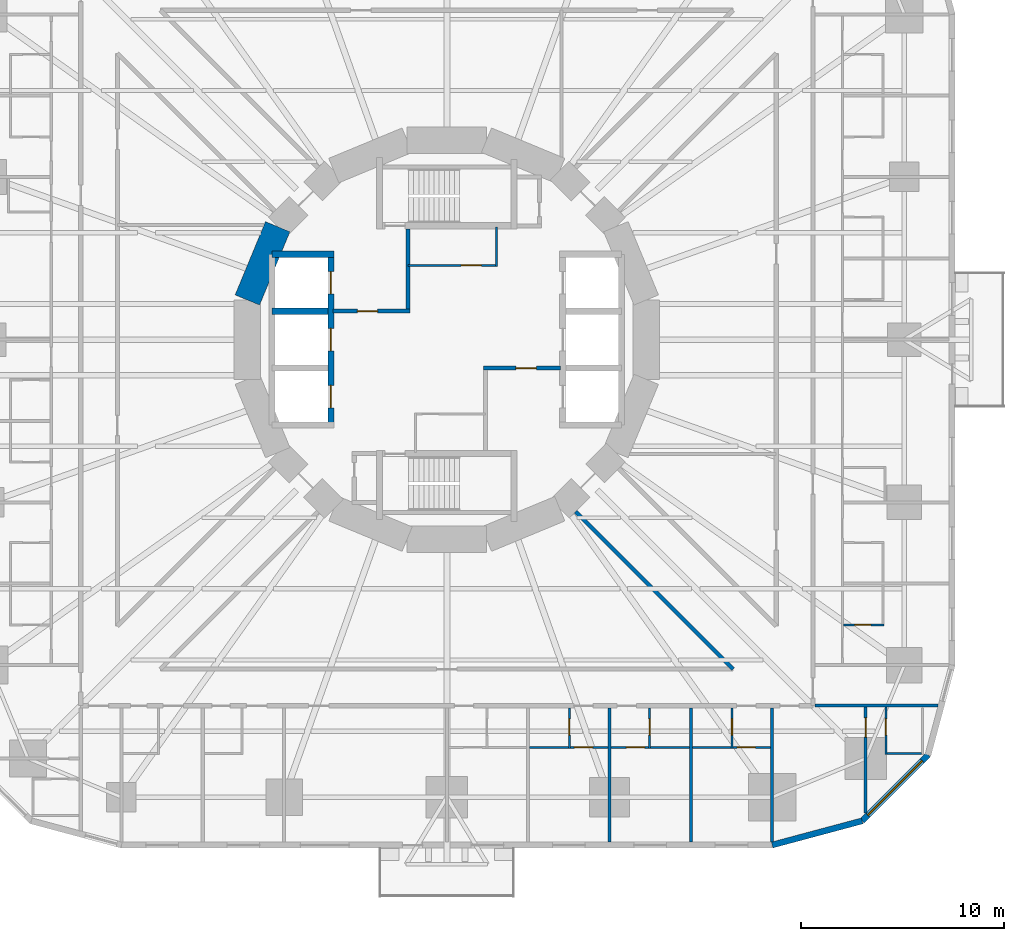
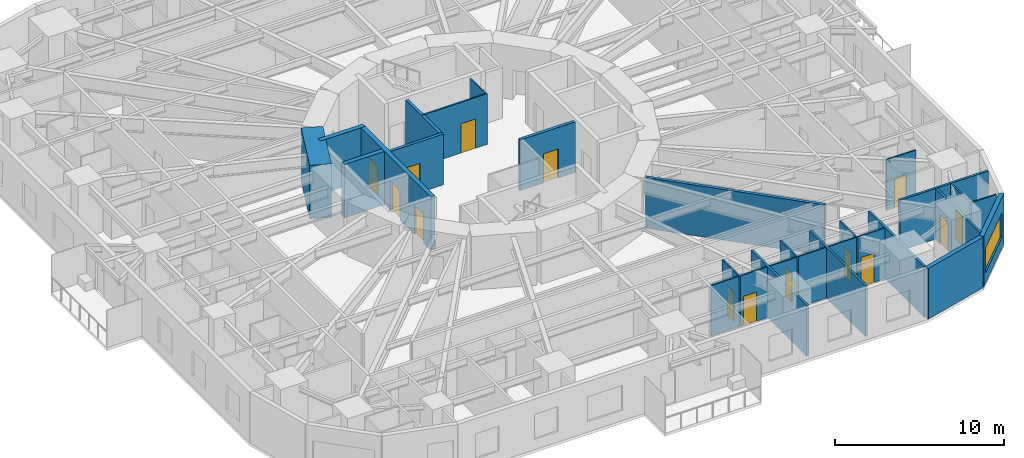
# One storey, part 7 of 14: 29 walls, 15 doors, 1 window, 16 openings.
"""IFC4 building model written with IfcOpenShell, lengths in metres."""

from ifc_helpers import new_model, si_unit, direction, frame, frame_2d, origin, place, context, subcontext, project, spatial, rectangle, extrude, material, layer, layer_set, type_object, element, fill, save


model = new_model("IFC4")

# Units and contexts
model_context = context("Model", 3, precision=1e-05, world=origin(), true_north=direction((0.0, 1.0)))
body_context = subcontext(model_context, "Body", "Model", "MODEL_VIEW")
ifc_project = project(units=[si_unit("LENGTHUNIT", "METRE"), si_unit("AREAUNIT", "SQUARE_METRE"), si_unit("VOLUMEUNIT", "CUBIC_METRE"), si_unit("PLANEANGLEUNIT", "RADIAN"), si_unit("MASSUNIT", "GRAM", prefix="KILO")], contexts=[model_context])

# Site, building, storey
site_placement = place(None, origin())
site = spatial("IfcSite", under=ifc_project, at=site_placement, CompositionType="ELEMENT")
building_placement = place(site_placement, origin())
building = spatial("IfcBuilding", under=site, at=building_placement, Name="Nakasero Lantern House", CompositionType="ELEMENT")
storey_placement = place(building_placement, frame((0.0, 0.0, 31.39990234375)))
storey = spatial("IfcBuildingStorey", under=building, at=storey_placement, Name="L07", CompositionType="ELEMENT", Elevation=31.39990234375)

# Wall, openings, doors
ifc_material_1 = material(Name="Concrete C50/60", Category="concrete")
ifc_layer_1 = layer(ifc_material_1, 0.300048828125)
ifc_layer_set_1 = layer_set([ifc_layer_1], Name="Core inner wall 300")
wall_type_1 = type_object("IfcWallType", Name="Core inner wall 300", PredefinedType="SHEAR", material=ifc_layer_set_1)
wall_1_placement = place(storey_placement, frame((-5.699951171875, -4.199951171875, 0.0), z_axis=(0.0, 0.0, 1.0), x_axis=(0.0, 1.0, 0.0)))
wall_1 = element("IfcWall", 1, at=wall_1_placement, inside=storey, type_object=wall_type_1, Name="Core inner wall L07 LW", PredefinedType="SHEAR", context=body_context, shape_type="SweptSolid", body=[
    extrude(rectangle(XDim=8.39990234375, YDim=0.300048828125, at=frame_2d((4.199951171875, 0.0))), origin(), (0.0, 0.0, 1.0), 3.85009765625),
])
opening_1_placement = place(wall_1_placement, frame((0.85009765625, 0.0, 0.0)))
opening_1 = element("IfcOpeningElement", 2, at=opening_1_placement, cuts=wall_1, Name="Opening LD", PredefinedType="OPENING", context=body_context, shape_type="SweptSolid", body=[
    extrude(rectangle(XDim=1.10009765625, YDim=2.10009765625, at=frame_2d((0.550048828125, 1.050048828125))), frame((0.0, 0.169921875, 0.0), z_axis=(0.0, -1.0, 0.0), x_axis=(1.0, 0.0, 0.0)), (0.0, 0.0, 1.0), 0.340087890625),
])
opening_2_placement = place(wall_1_placement, frame((3.64990234375, 0.0, 0.0)))
opening_2 = element("IfcOpeningElement", 3, at=opening_2_placement, cuts=wall_1, Name="Opening LD", PredefinedType="OPENING", context=body_context, shape_type="SweptSolid", body=[
    extrude(rectangle(XDim=1.10009765625, YDim=2.10009765625, at=frame_2d((0.550048828125, 1.050048828125))), frame((0.0, 0.169921875, 0.0), z_axis=(0.0, -1.0, 0.0), x_axis=(1.0, 0.0, 0.0)), (0.0, 0.0, 1.0), 0.340087890625),
])
opening_3_placement = place(wall_1_placement, frame((6.449951171875, 0.0, 0.0)))
opening_3 = element("IfcOpeningElement", 4, at=opening_3_placement, cuts=wall_1, Name="Opening LD", PredefinedType="OPENING", context=body_context, shape_type="SweptSolid", body=[
    extrude(rectangle(XDim=1.10009765625, YDim=2.10009765625, at=frame_2d((0.550048828125, 1.050048828125))), frame((0.0, 0.169921875, 0.0), z_axis=(0.0, -1.0, 0.0), x_axis=(1.0, 0.0, 0.0)), (0.0, 0.0, 1.0), 0.340087890625),
])
ifc_material_2 = material(Name="Steel S355", Category="steel")
door_type_1 = type_object("IfcDoorType", Name="Lift landing door E120 1100", OperationType="SLIDING_TO_LEFT", PredefinedType="DOOR", material=ifc_material_2)
door_1_placement = place(opening_1_placement, origin())
door_1 = element("IfcDoor", 5, at=door_1_placement, inside=storey, type_object=door_type_1, Name="Lift landing door LW1", OperationType="SLIDING_TO_LEFT", OverallHeight=2.10009765625, OverallWidth=1.10009765625, PredefinedType="DOOR", context=body_context, shape_type="SweptSolid", body=[
    extrude(rectangle(XDim=1.10009765625, YDim=2.10009765625, at=frame_2d((0.550048828125, 1.050048828125))), frame((0.0, 0.02490234375, 0.0), z_axis=(0.0, -1.0, 0.0), x_axis=(1.0, 0.0, 0.0)), (0.0, 0.0, 1.0), 0.050048828125),
])
fill(opening_1, door_1)
door_2_placement = place(opening_2_placement, origin())
door_2 = element("IfcDoor", 6, at=door_2_placement, inside=storey, type_object=door_type_1, Name="Lift landing door LW2", OperationType="SLIDING_TO_LEFT", OverallHeight=2.10009765625, OverallWidth=1.10009765625, PredefinedType="DOOR", context=body_context, shape_type="SweptSolid", body=[
    extrude(rectangle(XDim=1.10009765625, YDim=2.10009765625, at=frame_2d((0.550048828125, 1.050048828125))), frame((0.0, 0.02490234375, 0.0), z_axis=(0.0, -1.0, 0.0), x_axis=(1.0, 0.0, 0.0)), (0.0, 0.0, 1.0), 0.050048828125),
])
fill(opening_2, door_2)
door_3_placement = place(opening_3_placement, origin())
door_3 = element("IfcDoor", 7, at=door_3_placement, inside=storey, type_object=door_type_1, Name="Lift landing door LW3", OperationType="SLIDING_TO_LEFT", OverallHeight=2.10009765625, OverallWidth=1.10009765625, PredefinedType="DOOR", context=body_context, shape_type="SweptSolid", body=[
    extrude(rectangle(XDim=1.10009765625, YDim=2.10009765625, at=frame_2d((0.550048828125, 1.050048828125))), frame((0.0, 0.02490234375, 0.0), z_axis=(0.0, -1.0, 0.0), x_axis=(1.0, 0.0, 0.0)), (0.0, 0.0, 1.0), 0.050048828125),
])
fill(opening_3, door_3)

# Walls
wall_2_placement = place(storey_placement, frame((-8.60009765625, 4.199951171875, 0.0), z_axis=(0.0, 0.0, 1.0), x_axis=(1.0, 0.0, 0.0)))
element("IfcWall", 8, at=wall_2_placement, inside=storey, type_object=wall_type_1, Name="Core inner wall L07 LWN", PredefinedType="SHEAR", context=body_context, shape_type="SweptSolid", body=[
    extrude(rectangle(XDim=3.050048828125, YDim=0.300048828125, at=frame_2d((1.52490234375, 0.0))), origin(), (0.0, 0.0, 1.0), 3.85009765625),
])
wall_3_placement = place(storey_placement, frame((-8.60009765625, 1.39990234375, 0.0), z_axis=(0.0, 0.0, 1.0), x_axis=(1.0, 0.0, 0.0)))
element("IfcWall", 9, at=wall_3_placement, inside=storey, type_object=wall_type_1, Name="Core inner wall L07 LW2", PredefinedType="SHEAR", context=body_context, shape_type="SweptSolid", body=[
    extrude(rectangle(XDim=2.75, YDim=0.300048828125, at=frame_2d((1.375, 0.0))), origin(), (0.0, 0.0, 1.0), 3.85009765625),
])

# Wall, opening, door
ifc_material_3 = material(Name="Blockwork", Category="masonry")
ifc_layer_2 = layer(ifc_material_3, 0.10009765625)
ifc_layer_set_2 = layer_set([ifc_layer_2], Name="Core room wall 100")
wall_type_2 = type_object("IfcWallType", Name="Core room wall 100", PredefinedType="PARTITIONING", material=ifc_layer_set_2)
wall_4_placement = place(storey_placement, frame((-1.89990234375, 3.64990234375, 0.0), z_axis=(0.0, 0.0, 1.0), x_axis=(1.0, 0.0, 0.0)))
wall_4 = element("IfcWall", 10, at=wall_4_placement, inside=storey, type_object=wall_type_2, Name="Core room wall L07 CR-NES", PredefinedType="PARTITIONING", context=body_context, shape_type="SweptSolid", body=[
    extrude(rectangle(XDim=4.39990234375, YDim=0.10009765625, at=frame_2d((2.199951171875, 0.0))), origin(), (0.0, 0.0, 1.0), 3.650146484375),
])
opening_4_placement = place(wall_4_placement, frame((2.60009765625, 0.0, 0.0)))
opening_4 = element("IfcOpeningElement", 11, at=opening_4_placement, cuts=wall_4, Name="Opening D07", PredefinedType="OPENING", context=body_context, shape_type="SweptSolid", body=[
    extrude(rectangle(XDim=1.0, YDim=2.10009765625, at=frame_2d((0.5, 1.050048828125))), frame((0.0, 0.070068359375, 0.0), z_axis=(0.0, -1.0, 0.0), x_axis=(1.0, 0.0, 0.0)), (0.0, 0.0, 1.0), 0.14013671875),
])
ifc_material_4 = material(Name="Timber C24", Category="wood")
door_type_2 = type_object("IfcDoorType", Name="Room door FD30S 1000", OperationType="SINGLE_SWING_LEFT", PredefinedType="DOOR", material=ifc_material_4)
door_4_placement = place(opening_4_placement, origin())
door_4 = element("IfcDoor", 12, at=door_4_placement, inside=storey, type_object=door_type_2, Name="Door L07 D-CR-NE", OperationType="SINGLE_SWING_RIGHT", OverallHeight=2.10009765625, OverallWidth=1.0, PredefinedType="DOOR", context=body_context, shape_type="SweptSolid", body=[
    extrude(rectangle(XDim=1.0, YDim=2.10009765625, at=frame_2d((0.5, 1.050048828125))), frame((0.0, 0.02490234375, 0.0), z_axis=(0.0, -1.0, 0.0), x_axis=(1.0, 0.0, 0.0)), (0.0, 0.0, 1.0), 0.050048828125),
])
fill(opening_4, door_4)

# Walls
wall_5_placement = place(storey_placement, frame((2.449951171875, 3.60009765625, 0.0), z_axis=(0.0, 0.0, 1.0), x_axis=(0.0, 1.0, 0.0)))
element("IfcWall", 13, at=wall_5_placement, inside=storey, type_object=wall_type_2, Name="Core room wall L07 CR-NEE", PredefinedType="PARTITIONING", context=body_context, shape_type="SweptSolid", body=[
    extrude(rectangle(XDim=1.949951171875, YDim=0.10009765625, at=frame_2d((0.97509765625, 0.0))), origin(), (0.0, 0.0, 1.0), 3.650146484375),
])
ifc_material_5 = material(Name="Concrete C50/60", Category="concrete")
ifc_layer_3 = layer(ifc_material_5, 1.300048828125)
ifc_layer_set_3 = layer_set([ifc_layer_3], Name="Core wall 1300")
wall_type_3 = type_object("IfcWallType", Name="Core wall 1300", PredefinedType="SHEAR", material=ifc_layer_set_3)
wall_6_placement = place(storey_placement, frame((-8.314697265625, 5.5556640625, 0.0), z_axis=(0.0, 0.0, 1.0), x_axis=(-0.382690736062, -0.923876507187, 0.0)))
element("IfcWall", 14, at=wall_6_placement, inside=storey, type_object=wall_type_3, Name="Core wall L07 facet 7", PredefinedType="SHEAR", context=body_context, shape_type="SweptSolid", body=[
    extrude(rectangle(XDim=3.90185546875, YDim=1.300048828125, at=frame_2d((1.950927734375, 0.0))), origin(), (0.0, 0.0, 1.0), 3.85009765625),
])
ifc_material_6 = material(Name="Blockwork", Category="masonry")
ifc_layer_4 = layer(ifc_material_6, 0.199951171875)
ifc_layer_set_4 = layer_set([ifc_layer_4], Name="Corridor wall 200")
wall_type_4 = type_object("IfcWallType", Name="Corridor wall 200", PredefinedType="PARTITIONING", material=ifc_layer_set_4)
wall_7_placement = place(storey_placement, frame((6.334228515625, -8.45556640625, 0.0), z_axis=(0.0, 0.0, 1.0), x_axis=(0.707106781187, -0.707106781187, 0.0)))
element("IfcWall", 15, at=wall_7_placement, inside=storey, type_object=wall_type_4, Name="Corridor wall L07 PS14b", PredefinedType="PARTITIONING", context=body_context, shape_type="SweptSolid", body=[
    extrude(rectangle(XDim=10.9521484375, YDim=0.199951171875, at=frame_2d((5.47607421875, 0.0))), origin(), (0.0, 0.0, 1.0), 3.650146484375),
])

# Wall, opening, door
ifc_material_7 = material(Name="Blockwork", Category="masonry")
ifc_layer_5 = layer(ifc_material_7, 0.10009765625)
ifc_layer_set_5 = layer_set([ifc_layer_5], Name="En-suite wall 100")
wall_type_5 = type_object("IfcWallType", Name="En-suite wall 100", PredefinedType="PARTITIONING", material=ifc_layer_set_5)
wall_8_placement = place(storey_placement, frame((19.5, -14.02490234375, 0.0), z_axis=(0.0, 0.0, 1.0), x_axis=(1.0, 0.0, 0.0)))
wall_8 = element("IfcWall", 16, at=wall_8_placement, inside=storey, type_object=wall_type_5, Name="En-suite wall L07 ES0-01", PredefinedType="PARTITIONING", context=body_context, shape_type="SweptSolid", body=[
    extrude(rectangle(XDim=2.0, YDim=0.10009765625, at=frame_2d((1.0, 0.0))), origin(), (0.0, 0.0, 1.0), 3.650146484375),
])
opening_5_placement = place(wall_8_placement, frame((0.550048828125, 0.0, 0.0)))
opening_5 = element("IfcOpeningElement", 17, at=opening_5_placement, cuts=wall_8, Name="Opening D02", PredefinedType="OPENING", context=body_context, shape_type="SweptSolid", body=[
    extrude(rectangle(XDim=0.800048828125, YDim=2.10009765625, at=frame_2d((0.39990234375, 1.050048828125))), frame((0.0, 0.070068359375, 0.0), z_axis=(0.0, -1.0, 0.0), x_axis=(1.0, 0.0, 0.0)), (0.0, 0.0, 1.0), 0.14013671875),
])
ifc_material_8 = material(Name="Timber C24", Category="wood")
door_type_3 = type_object("IfcDoorType", Name="En-suite door 800", OperationType="SINGLE_SWING_RIGHT", PredefinedType="DOOR", material=ifc_material_8)
door_5_placement = place(opening_5_placement, origin())
door_5 = element("IfcDoor", 18, at=door_5_placement, inside=storey, type_object=door_type_3, Name="Door L07 DE0-01", OperationType="SINGLE_SWING_LEFT", OverallHeight=2.10009765625, OverallWidth=0.800048828125, PredefinedType="DOOR", context=body_context, shape_type="SweptSolid", body=[
    extrude(rectangle(XDim=0.800048828125, YDim=2.10009765625, at=frame_2d((0.39990234375, 1.050048828125))), frame((0.0, 0.02490234375, 0.0), z_axis=(0.0, -1.0, 0.0), x_axis=(1.0, 0.0, 0.0)), (0.0, 0.0, 1.0), 0.050048828125),
])
fill(opening_5, door_5)

wall_9_placement = place(storey_placement, frame((6.02490234375, -18.10009765625, 0.0), z_axis=(0.0, 0.0, 1.0), x_axis=(0.0, -1.0, 0.0)))
wall_9 = element("IfcWall", 19, at=wall_9_placement, inside=storey, type_object=wall_type_5, Name="En-suite wall L07 ES3-06", PredefinedType="PARTITIONING", context=body_context, shape_type="SweptSolid", body=[
    extrude(rectangle(XDim=2.0, YDim=0.10009765625, at=frame_2d((1.0, 0.0))), origin(), (0.0, 0.0, 1.0), 3.650146484375),
])
opening_6_placement = place(wall_9_placement, frame((0.550048828125, 0.0, 0.0)))
opening_6 = element("IfcOpeningElement", 20, at=opening_6_placement, cuts=wall_9, Name="Opening D02", PredefinedType="OPENING", context=body_context, shape_type="SweptSolid", body=[
    extrude(rectangle(XDim=0.800048828125, YDim=2.10009765625, at=frame_2d((0.39990234375, 1.050048828125))), frame((0.0, 0.070068359375, 0.0), z_axis=(0.0, -1.0, 0.0), x_axis=(1.0, 0.0, 0.0)), (0.0, 0.0, 1.0), 0.14013671875),
])
door_6_placement = place(opening_6_placement, origin())
door_6 = element("IfcDoor", 21, at=door_6_placement, inside=storey, type_object=door_type_3, Name="Door L07 DE3-06", OperationType="SINGLE_SWING_LEFT", OverallHeight=2.10009765625, OverallWidth=0.800048828125, PredefinedType="DOOR", context=body_context, shape_type="SweptSolid", body=[
    extrude(rectangle(XDim=0.800048828125, YDim=2.10009765625, at=frame_2d((0.39990234375, 1.050048828125))), frame((0.0, 0.02490234375, 0.0), z_axis=(0.0, -1.0, 0.0), x_axis=(1.0, 0.0, 0.0)), (0.0, 0.0, 1.0), 0.050048828125),
])
fill(opening_6, door_6)

# Wall
wall_10_placement = place(storey_placement, frame((4.074951171875, -20.050048828125, 0.0), z_axis=(0.0, 0.0, 1.0), x_axis=(1.0, 0.0, 0.0)))
element("IfcWall", 22, at=wall_10_placement, inside=storey, type_object=wall_type_5, Name="En-suite wall L07 EE3-06", PredefinedType="PARTITIONING", context=body_context, shape_type="SweptSolid", body=[
    extrude(rectangle(XDim=1.900146484375, YDim=0.10009765625, at=frame_2d((0.9501953125, 0.0))), origin(), (0.0, 0.0, 1.0), 3.650146484375),
])

# Wall, opening, door
wall_11_placement = place(storey_placement, frame((9.97509765625, -18.10009765625, 0.0), z_axis=(0.0, 0.0, 1.0), x_axis=(0.0, -1.0, 0.0)))
wall_11 = element("IfcWall", 23, at=wall_11_placement, inside=storey, type_object=wall_type_5, Name="En-suite wall L07 ES3-07", PredefinedType="PARTITIONING", context=body_context, shape_type="SweptSolid", body=[
    extrude(rectangle(XDim=2.0, YDim=0.10009765625, at=frame_2d((1.0, 0.0))), origin(), (0.0, 0.0, 1.0), 3.650146484375),
])
opening_7_placement = place(wall_11_placement, frame((0.550048828125, 0.0, 0.0)))
opening_7 = element("IfcOpeningElement", 24, at=opening_7_placement, cuts=wall_11, Name="Opening D02", PredefinedType="OPENING", context=body_context, shape_type="SweptSolid", body=[
    extrude(rectangle(XDim=0.800048828125, YDim=2.10009765625, at=frame_2d((0.39990234375, 1.050048828125))), frame((0.0, 0.070068359375, 0.0), z_axis=(0.0, -1.0, 0.0), x_axis=(1.0, 0.0, 0.0)), (0.0, 0.0, 1.0), 0.14013671875),
])
door_7_placement = place(opening_7_placement, origin())
door_7 = element("IfcDoor", 25, at=door_7_placement, inside=storey, type_object=door_type_3, Name="Door L07 DE3-07", OperationType="SINGLE_SWING_LEFT", OverallHeight=2.10009765625, OverallWidth=0.800048828125, PredefinedType="DOOR", context=body_context, shape_type="SweptSolid", body=[
    extrude(rectangle(XDim=0.800048828125, YDim=2.10009765625, at=frame_2d((0.39990234375, 1.050048828125))), frame((0.0, 0.02490234375, 0.0), z_axis=(0.0, -1.0, 0.0), x_axis=(1.0, 0.0, 0.0)), (0.0, 0.0, 1.0), 0.050048828125),
])
fill(opening_7, door_7)

# Wall
wall_12_placement = place(storey_placement, frame((10.02490234375, -20.050048828125, 0.0), z_axis=(0.0, 0.0, 1.0), x_axis=(1.0, 0.0, 0.0)))
element("IfcWall", 26, at=wall_12_placement, inside=storey, type_object=wall_type_5, Name="En-suite wall L07 EE3-07", PredefinedType="PARTITIONING", context=body_context, shape_type="SweptSolid", body=[
    extrude(rectangle(XDim=1.900146484375, YDim=0.10009765625, at=frame_2d((0.9501953125, 0.0))), origin(), (0.0, 0.0, 1.0), 3.650146484375),
])

# Wall, opening, door
wall_13_placement = place(storey_placement, frame((14.02490234375, -18.10009765625, 0.0), z_axis=(0.0, 0.0, 1.0), x_axis=(0.0, -1.0, 0.0)))
wall_13 = element("IfcWall", 27, at=wall_13_placement, inside=storey, type_object=wall_type_5, Name="En-suite wall L07 ES3-08", PredefinedType="PARTITIONING", context=body_context, shape_type="SweptSolid", body=[
    extrude(rectangle(XDim=2.0, YDim=0.10009765625, at=frame_2d((1.0, 0.0))), origin(), (0.0, 0.0, 1.0), 3.650146484375),
])
opening_8_placement = place(wall_13_placement, frame((0.550048828125, 0.0, 0.0)))
opening_8 = element("IfcOpeningElement", 28, at=opening_8_placement, cuts=wall_13, Name="Opening D02", PredefinedType="OPENING", context=body_context, shape_type="SweptSolid", body=[
    extrude(rectangle(XDim=0.800048828125, YDim=2.10009765625, at=frame_2d((0.39990234375, 1.050048828125))), frame((0.0, 0.070068359375, 0.0), z_axis=(0.0, -1.0, 0.0), x_axis=(1.0, 0.0, 0.0)), (0.0, 0.0, 1.0), 0.14013671875),
])
door_8_placement = place(opening_8_placement, origin())
door_8 = element("IfcDoor", 29, at=door_8_placement, inside=storey, type_object=door_type_3, Name="Door L07 DE3-08", OperationType="SINGLE_SWING_LEFT", OverallHeight=2.10009765625, OverallWidth=0.800048828125, PredefinedType="DOOR", context=body_context, shape_type="SweptSolid", body=[
    extrude(rectangle(XDim=0.800048828125, YDim=2.10009765625, at=frame_2d((0.39990234375, 1.050048828125))), frame((0.0, 0.02490234375, 0.0), z_axis=(0.0, -1.0, 0.0), x_axis=(1.0, 0.0, 0.0)), (0.0, 0.0, 1.0), 0.050048828125),
])
fill(opening_8, door_8)

# Wall
wall_14_placement = place(storey_placement, frame((12.074951171875, -20.050048828125, 0.0), z_axis=(0.0, 0.0, 1.0), x_axis=(1.0, 0.0, 0.0)))
element("IfcWall", 30, at=wall_14_placement, inside=storey, type_object=wall_type_5, Name="En-suite wall L07 EE3-08", PredefinedType="PARTITIONING", context=body_context, shape_type="SweptSolid", body=[
    extrude(rectangle(XDim=1.900146484375, YDim=0.10009765625, at=frame_2d((0.9501953125, 0.0))), origin(), (0.0, 0.0, 1.0), 3.650146484375),
])

# Wall, opening, door
wall_15_placement = place(storey_placement, frame((21.59619140625, -18.06494140625, 0.0), z_axis=(0.0, 0.0, 1.0), x_axis=(0.0, -1.0, 0.0)))
wall_15 = element("IfcWall", 31, at=wall_15_placement, inside=storey, type_object=wall_type_5, Name="En-suite wall L07 ES3-09", PredefinedType="PARTITIONING", context=body_context, shape_type="SweptSolid", body=[
    extrude(rectangle(XDim=2.3349609375, YDim=0.10009765625, at=frame_2d((1.16748046875, 0.0))), origin(), (0.0, 0.0, 1.0), 3.650146484375),
])
opening_9_placement = place(wall_15_placement, frame((0.5849609375, 0.0, 0.0)))
opening_9 = element("IfcOpeningElement", 32, at=opening_9_placement, cuts=wall_15, Name="Opening D02", PredefinedType="OPENING", context=body_context, shape_type="SweptSolid", body=[
    extrude(rectangle(XDim=0.800048828125, YDim=2.10009765625, at=frame_2d((0.39990234375, 1.050048828125))), frame((0.0, 0.070068359375, 0.0), z_axis=(0.0, -1.0, 0.0), x_axis=(1.0, 0.0, 0.0)), (0.0, 0.0, 1.0), 0.14013671875),
])
door_9_placement = place(opening_9_placement, origin())
door_9 = element("IfcDoor", 33, at=door_9_placement, inside=storey, type_object=door_type_3, Name="Door L07 DE3-09", OperationType="SINGLE_SWING_LEFT", OverallHeight=2.10009765625, OverallWidth=0.800048828125, PredefinedType="DOOR", context=body_context, shape_type="SweptSolid", body=[
    extrude(rectangle(XDim=0.800048828125, YDim=2.10009765625, at=frame_2d((0.39990234375, 1.050048828125))), frame((0.0, 0.02490234375, 0.0), z_axis=(0.0, -1.0, 0.0), x_axis=(1.0, 0.0, 0.0)), (0.0, 0.0, 1.0), 0.050048828125),
])
fill(opening_9, door_9)

# Wall
wall_16_placement = place(storey_placement, frame((21.646240234375, -20.35009765625, 0.0), z_axis=(0.0, 0.0, 1.0), x_axis=(1.0, 0.0, 0.0)))
element("IfcWall", 34, at=wall_16_placement, inside=storey, type_object=wall_type_5, Name="En-suite wall L07 EE3-09", PredefinedType="PARTITIONING", context=body_context, shape_type="SweptSolid", body=[
    extrude(rectangle(XDim=1.699951171875, YDim=0.10009765625, at=frame_2d((0.85009765625, 0.0))), origin(), (0.0, 0.0, 1.0), 3.650146484375),
])

# Wall, opening, door
wall_17_placement = place(storey_placement, frame((6.074951171875, -20.050048828125, 0.0), z_axis=(0.0, 0.0, 1.0), x_axis=(1.0, 0.0, 0.0)))
wall_17 = element("IfcWall", 35, at=wall_17_placement, inside=storey, type_object=wall_type_5, Name="En-suite wall L07 EL3-06", PredefinedType="PARTITIONING", context=body_context, shape_type="SweptSolid", body=[
    extrude(rectangle(XDim=1.85009765625, YDim=0.10009765625, at=frame_2d((0.925048828125, 0.0))), origin(), (0.0, 0.0, 1.0), 3.650146484375),
])
opening_10_placement = place(wall_17_placement, frame((0.199951171875, 0.0, 0.0)))
opening_10 = element("IfcOpeningElement", 36, at=opening_10_placement, cuts=wall_17, Name="Opening D17", PredefinedType="OPENING", context=body_context, shape_type="SweptSolid", body=[
    extrude(rectangle(XDim=0.89990234375, YDim=2.10009765625, at=frame_2d((0.449951171875, 1.050048828125))), frame((0.0, 0.070068359375, 0.0), z_axis=(0.0, -1.0, 0.0), x_axis=(1.0, 0.0, 0.0)), (0.0, 0.0, 1.0), 0.14013671875),
])
ifc_material_9 = material(Name="Timber C24", Category="wood")
door_type_4 = type_object("IfcDoorType", Name="Bedroom door FD30S 900", OperationType="SINGLE_SWING_LEFT", PredefinedType="DOOR", material=ifc_material_9)
door_10_placement = place(opening_10_placement, origin())
door_10 = element("IfcDoor", 37, at=door_10_placement, inside=storey, type_object=door_type_4, Name="Door L07 DL3-06", OperationType="SINGLE_SWING_LEFT", OverallHeight=2.10009765625, OverallWidth=0.89990234375, PredefinedType="DOOR", context=body_context, shape_type="SweptSolid", body=[
    extrude(rectangle(XDim=0.89990234375, YDim=2.10009765625, at=frame_2d((0.449951171875, 1.050048828125))), frame((0.0, 0.02490234375, 0.0), z_axis=(0.0, -1.0, 0.0), x_axis=(1.0, 0.0, 0.0)), (0.0, 0.0, 1.0), 0.050048828125),
])
fill(opening_10, door_10)

wall_18_placement = place(storey_placement, frame((8.074951171875, -20.050048828125, 0.0), z_axis=(0.0, 0.0, 1.0), x_axis=(1.0, 0.0, 0.0)))
wall_18 = element("IfcWall", 38, at=wall_18_placement, inside=storey, type_object=wall_type_5, Name="En-suite wall L07 EL3-07", PredefinedType="PARTITIONING", context=body_context, shape_type="SweptSolid", body=[
    extrude(rectangle(XDim=1.85009765625, YDim=0.10009765625, at=frame_2d((0.925048828125, 0.0))), origin(), (0.0, 0.0, 1.0), 3.650146484375),
])
opening_11_placement = place(wall_18_placement, frame((0.75, 0.0, 0.0)))
opening_11 = element("IfcOpeningElement", 39, at=opening_11_placement, cuts=wall_18, Name="Opening D17", PredefinedType="OPENING", context=body_context, shape_type="SweptSolid", body=[
    extrude(rectangle(XDim=0.89990234375, YDim=2.10009765625, at=frame_2d((0.449951171875, 1.050048828125))), frame((0.0, 0.070068359375, 0.0), z_axis=(0.0, -1.0, 0.0), x_axis=(1.0, 0.0, 0.0)), (0.0, 0.0, 1.0), 0.14013671875),
])
door_11_placement = place(opening_11_placement, origin())
door_11 = element("IfcDoor", 40, at=door_11_placement, inside=storey, type_object=door_type_4, Name="Door L07 DL3-07", OperationType="SINGLE_SWING_RIGHT", OverallHeight=2.10009765625, OverallWidth=0.89990234375, PredefinedType="DOOR", context=body_context, shape_type="SweptSolid", body=[
    extrude(rectangle(XDim=0.89990234375, YDim=2.10009765625, at=frame_2d((0.449951171875, 1.050048828125))), frame((0.0, 0.02490234375, 0.0), z_axis=(0.0, -1.0, 0.0), x_axis=(1.0, 0.0, 0.0)), (0.0, 0.0, 1.0), 0.050048828125),
])
fill(opening_11, door_11)

wall_19_placement = place(storey_placement, frame((14.074951171875, -20.050048828125, 0.0), z_axis=(0.0, 0.0, 1.0), x_axis=(1.0, 0.0, 0.0)))
wall_19 = element("IfcWall", 41, at=wall_19_placement, inside=storey, type_object=wall_type_5, Name="En-suite wall L07 EL3-08", PredefinedType="PARTITIONING", context=body_context, shape_type="SweptSolid", body=[
    extrude(rectangle(XDim=1.85009765625, YDim=0.10009765625, at=frame_2d((0.925048828125, 0.0))), origin(), (0.0, 0.0, 1.0), 3.650146484375),
])
opening_12_placement = place(wall_19_placement, frame((0.199951171875, 0.0, 0.0)))
opening_12 = element("IfcOpeningElement", 42, at=opening_12_placement, cuts=wall_19, Name="Opening D17", PredefinedType="OPENING", context=body_context, shape_type="SweptSolid", body=[
    extrude(rectangle(XDim=0.89990234375, YDim=2.10009765625, at=frame_2d((0.449951171875, 1.050048828125))), frame((0.0, 0.070068359375, 0.0), z_axis=(0.0, -1.0, 0.0), x_axis=(1.0, 0.0, 0.0)), (0.0, 0.0, 1.0), 0.14013671875),
])
door_12_placement = place(opening_12_placement, origin())
door_12 = element("IfcDoor", 43, at=door_12_placement, inside=storey, type_object=door_type_4, Name="Door L07 DL3-08", OperationType="SINGLE_SWING_LEFT", OverallHeight=2.10009765625, OverallWidth=0.89990234375, PredefinedType="DOOR", context=body_context, shape_type="SweptSolid", body=[
    extrude(rectangle(XDim=0.89990234375, YDim=2.10009765625, at=frame_2d((0.449951171875, 1.050048828125))), frame((0.0, 0.02490234375, 0.0), z_axis=(0.0, -1.0, 0.0), x_axis=(1.0, 0.0, 0.0)), (0.0, 0.0, 1.0), 0.050048828125),
])
fill(opening_12, door_12)

# Wall
ifc_material_10 = material(Name="Aluminium rainscreen on blockwork", Category="masonry")
ifc_layer_6 = layer(ifc_material_10, 0.300048828125)
ifc_layer_set_6 = layer_set([ifc_layer_6], Name="Facade wall 300")
wall_type_6 = type_object("IfcWallType", Name="Facade wall 300", PredefinedType="SOLIDWALL", material=ifc_layer_set_6)
wall_20_placement = place(storey_placement, frame((16.0, -24.85009765625, 0.0), z_axis=(0.0, 0.0, 1.0), x_axis=(0.965920218567, 0.258839972501, 0.0)))
element("IfcWall", 44, at=wall_20_placement, inside=storey, type_object=wall_type_6, Name="Facade wall L07 FW3C1", PredefinedType="SOLIDWALL", context=body_context, shape_type="SweptSolid", body=[
    extrude(rectangle(XDim=4.5810546875, YDim=0.300048828125, at=frame_2d((2.29052734375, 0.0))), origin(), (0.0, 0.0, 1.0), 3.650146484375),
])

# Wall, opening, window
wall_21_placement = place(storey_placement, frame((20.425048828125, -23.664306640625, 0.0), z_axis=(0.0, 0.0, 1.0), x_axis=(0.707106781187, 0.707106781187, 0.0)))
wall_21 = element("IfcWall", 45, at=wall_21_placement, inside=storey, type_object=wall_type_6, Name="Facade wall L07 FW3C2", PredefinedType="SOLIDWALL", context=body_context, shape_type="SweptSolid", body=[
    extrude(rectangle(XDim=4.5810546875, YDim=0.300048828125, at=frame_2d((2.29052734375, 0.0))), origin(), (0.0, 0.0, 1.0), 3.650146484375),
])
opening_13_placement = place(wall_21_placement, frame((0.39990234375, 0.0, 0.75)))
opening_13 = element("IfcOpeningElement", 46, at=opening_13_placement, cuts=wall_21, Name="Opening W237", PredefinedType="OPENING", context=body_context, shape_type="SweptSolid", body=[
    extrude(rectangle(XDim=3.781005859375, YDim=1.800048828125, at=frame_2d((1.890625, 0.89990234375))), frame((0.0, 0.169921875, 0.0), z_axis=(0.0, -1.0, 0.0), x_axis=(1.0, 0.0, 0.0)), (0.0, 0.0, 1.0), 0.340087890625),
])
ifc_material_11 = material(Name="Aluminium 6063-T6 and glass", Category="aluminium")
window_type = type_object("IfcWindowType", Name="Corner window 3781x1800", PartitioningType="SINGLE_PANEL", PredefinedType="WINDOW", material=ifc_material_11)
window_placement = place(opening_13_placement, origin())
window = element("IfcWindow", 47, at=window_placement, inside=storey, type_object=window_type, Name="Window L07 WC3", OverallHeight=1.800048828125, OverallWidth=3.781005859375, PartitioningType="SINGLE_PANEL", PredefinedType="WINDOW", context=body_context, shape_type="SweptSolid", body=[
    extrude(rectangle(XDim=3.781005859375, YDim=1.800048828125, at=frame_2d((1.890625, 0.89990234375))), frame((0.0, 0.030029296875, 0.0), z_axis=(0.0, -1.0, 0.0), x_axis=(1.0, 0.0, 0.0)), (0.0, 0.0, 1.0), 0.06005859375),
])
fill(opening_13, window)

# Wall, opening, door
ifc_material_12 = material(Name="Blockwork", Category="masonry")
ifc_layer_7 = layer(ifc_material_12, 0.199951171875)
ifc_layer_set_7 = layer_set([ifc_layer_7], Name="Fire lobby wall 200")
wall_type_7 = type_object("IfcWallType", Name="Fire lobby wall 200", PredefinedType="PARTITIONING", material=ifc_layer_set_7)
wall_22_placement = place(storey_placement, frame((-5.60009765625, 1.39990234375, 0.0), z_axis=(0.0, 0.0, 1.0), x_axis=(1.0, 0.0, 0.0)))
wall_22 = element("IfcWall", 48, at=wall_22_placement, inside=storey, type_object=wall_type_7, Name="Fire lobby wall L07 W-FL1S", PredefinedType="PARTITIONING", context=body_context, shape_type="SweptSolid", body=[
    extrude(rectangle(XDim=3.800048828125, YDim=0.199951171875, at=frame_2d((1.89990234375, 0.0))), origin(), (0.0, 0.0, 1.0), 3.650146484375),
])
opening_14_placement = place(wall_22_placement, frame((1.199951171875, 0.0, 0.0)))
opening_14 = element("IfcOpeningElement", 49, at=opening_14_placement, cuts=wall_22, Name="Opening D05", PredefinedType="OPENING", context=body_context, shape_type="SweptSolid", body=[
    extrude(rectangle(XDim=1.0, YDim=2.10009765625, at=frame_2d((0.5, 1.050048828125))), frame((0.0, 0.119873046875, 0.0), z_axis=(0.0, -1.0, 0.0), x_axis=(1.0, 0.0, 0.0)), (0.0, 0.0, 1.0), 0.239990234375),
])
ifc_material_13 = material(Name="Timber C24", Category="wood")
door_type_5 = type_object("IfcDoorType", Name="Core door FD60S 1000", OperationType="SINGLE_SWING_LEFT", PredefinedType="DOOR", material=ifc_material_13)
door_13_placement = place(opening_14_placement, origin())
door_13 = element("IfcDoor", 50, at=door_13_placement, inside=storey, type_object=door_type_5, Name="Door L07 D-FL1", OperationType="SINGLE_SWING_LEFT", OverallHeight=2.10009765625, OverallWidth=1.0, PredefinedType="DOOR", context=body_context, shape_type="SweptSolid", body=[
    extrude(rectangle(XDim=1.0, YDim=2.10009765625, at=frame_2d((0.5, 1.050048828125))), frame((0.0, 0.02490234375, 0.0), z_axis=(0.0, -1.0, 0.0), x_axis=(1.0, 0.0, 0.0)), (0.0, 0.0, 1.0), 0.050048828125),
])
fill(opening_14, door_13)

# Wall
wall_23_placement = place(storey_placement, frame((-1.89990234375, 1.5, 0.0), z_axis=(0.0, 0.0, 1.0), x_axis=(0.0, 1.0, 0.0)))
element("IfcWall", 51, at=wall_23_placement, inside=storey, type_object=wall_type_7, Name="Fire lobby wall L07 W-FL1E", PredefinedType="PARTITIONING", context=body_context, shape_type="SweptSolid", body=[
    extrude(rectangle(XDim=3.949951171875, YDim=0.199951171875, at=frame_2d((1.97509765625, 0.0))), origin(), (0.0, 0.0, 1.0), 3.650146484375),
])

# Wall, opening, door
wall_24_placement = place(storey_placement, frame((5.60009765625, -1.39990234375, 0.0), z_axis=(0.0, 0.0, 1.0), x_axis=(-1.0, 0.0, 0.0)))
wall_24 = element("IfcWall", 52, at=wall_24_placement, inside=storey, type_object=wall_type_7, Name="Fire lobby wall L07 W-FL2N", PredefinedType="PARTITIONING", context=body_context, shape_type="SweptSolid", body=[
    extrude(rectangle(XDim=3.800048828125, YDim=0.199951171875, at=frame_2d((1.89990234375, 0.0))), origin(), (0.0, 0.0, 1.0), 3.650146484375),
])
opening_15_placement = place(wall_24_placement, frame((1.199951171875, 0.0, 0.0)))
opening_15 = element("IfcOpeningElement", 53, at=opening_15_placement, cuts=wall_24, Name="Opening D05", PredefinedType="OPENING", context=body_context, shape_type="SweptSolid", body=[
    extrude(rectangle(XDim=1.0, YDim=2.10009765625, at=frame_2d((0.5, 1.050048828125))), frame((0.0, 0.119873046875, 0.0), z_axis=(0.0, -1.0, 0.0), x_axis=(1.0, 0.0, 0.0)), (0.0, 0.0, 1.0), 0.239990234375),
])
door_14_placement = place(opening_15_placement, origin())
door_14 = element("IfcDoor", 54, at=door_14_placement, inside=storey, type_object=door_type_5, Name="Door L07 D-FL2", OperationType="SINGLE_SWING_LEFT", OverallHeight=2.10009765625, OverallWidth=1.0, PredefinedType="DOOR", context=body_context, shape_type="SweptSolid", body=[
    extrude(rectangle(XDim=1.0, YDim=2.10009765625, at=frame_2d((0.5, 1.050048828125))), frame((0.0, 0.02490234375, 0.0), z_axis=(0.0, -1.0, 0.0), x_axis=(1.0, 0.0, 0.0)), (0.0, 0.0, 1.0), 0.050048828125),
])
fill(opening_15, door_14)

# Walls
ifc_material_14 = material(Name="Blockwork", Category="masonry")
ifc_layer_8 = layer(ifc_material_14, 0.14990234375)
ifc_layer_set_8 = layer_set([ifc_layer_8], Name="Party wall 150")
wall_type_8 = type_object("IfcWallType", Name="Party wall 150", PredefinedType="PARTITIONING", material=ifc_layer_set_8)
wall_25_placement = place(storey_placement, frame((18.10009765625, -18.0, 0.0), z_axis=(0.0, 0.0, 1.0), x_axis=(1.0, 0.0, 0.0)))
element("IfcWall", 55, at=wall_25_placement, inside=storey, type_object=wall_type_8, Name="Party wall L07 PW0-00", PredefinedType="PARTITIONING", context=body_context, shape_type="SweptSolid", body=[
    extrude(rectangle(XDim=6.053466796875, YDim=0.14990234375, at=frame_2d((3.02685546875, 0.0))), origin(), (0.0, 0.0, 1.0), 3.650146484375),
])
for number, where, z_axis, x_axis, name in (
    (56, (8.0, -18.10009765625, 0.0), (0.0, 0.0, 1.0), (0.0, -1.0, 0.0), "Party wall L07 PW3-07"),
    (57, (12.0, -18.10009765625, 0.0), (0.0, 0.0, 1.0), (0.0, -1.0, 0.0), "Party wall L07 PW3-08"),
):
    element("IfcWall", number, at=place(storey_placement, frame(where, z_axis=z_axis, x_axis=x_axis)), inside=storey, type_object=wall_type_8, Name=name, PredefinedType="PARTITIONING", context=body_context, shape_type="SweptSolid", body=[
        extrude(rectangle(XDim=6.599853515625, YDim=0.14990234375, at=frame_2d((3.2998046875, 0.0))), origin(), (0.0, 0.0, 1.0), 3.650146484375),
    ])
wall_26_placement = place(storey_placement, frame((16.0, -18.10009765625, 0.0), z_axis=(0.0, 0.0, 1.0), x_axis=(0.0, -1.0, 0.0)))
element("IfcWall", 58, at=wall_26_placement, inside=storey, type_object=wall_type_8, Name="Party wall L07 PW3-09", PredefinedType="PARTITIONING", context=body_context, shape_type="SweptSolid", body=[
    extrude(rectangle(XDim=6.58935546875, YDim=0.14990234375, at=frame_2d((3.294677734375, 0.0))), origin(), (0.0, 0.0, 1.0), 3.650146484375),
])

# Wall, opening, door
wall_27_placement = place(storey_placement, frame((20.59619140625, -18.06494140625, 0.0), z_axis=(0.0, 0.0, 1.0), x_axis=(0.0, -1.0, 0.0)))
wall_27 = element("IfcWall", 59, at=wall_27_placement, inside=storey, type_object=wall_type_8, Name="Party wall L07 PC3", PredefinedType="PARTITIONING", context=body_context, shape_type="SweptSolid", body=[
    extrude(rectangle(XDim=5.208740234375, YDim=0.14990234375, at=frame_2d((2.6044921875, 0.0))), origin(), (0.0, 0.0, 1.0), 3.650146484375),
])
opening_16_placement = place(wall_27_placement, frame((0.534912109375, 0.0, 0.0)))
opening_16 = element("IfcOpeningElement", 60, at=opening_16_placement, cuts=wall_27, Name="Opening D01", PredefinedType="OPENING", context=body_context, shape_type="SweptSolid", body=[
    extrude(rectangle(XDim=0.949951171875, YDim=2.10009765625, at=frame_2d((0.47509765625, 1.050048828125))), frame((0.0, 0.094970703125, 0.0), z_axis=(0.0, -1.0, 0.0), x_axis=(1.0, 0.0, 0.0)), (0.0, 0.0, 1.0), 0.18994140625),
])
ifc_material_15 = material(Name="Timber C24", Category="wood")
door_type_6 = type_object("IfcDoorType", Name="Bedroom door FD30S 950", OperationType="SINGLE_SWING_LEFT", PredefinedType="DOOR", material=ifc_material_15)
door_15_placement = place(opening_16_placement, origin())
door_15 = element("IfcDoor", 61, at=door_15_placement, inside=storey, type_object=door_type_6, Name="Door L07 DC3", OperationType="SINGLE_SWING_LEFT", OverallHeight=2.10009765625, OverallWidth=0.949951171875, PredefinedType="DOOR", context=body_context, shape_type="SweptSolid", body=[
    extrude(rectangle(XDim=0.949951171875, YDim=2.10009765625, at=frame_2d((0.47509765625, 1.050048828125))), frame((0.0, 0.02490234375, 0.0), z_axis=(0.0, -1.0, 0.0), x_axis=(1.0, 0.0, 0.0)), (0.0, 0.0, 1.0), 0.050048828125),
])
fill(opening_16, door_15)

save(model, "model.ifc")
